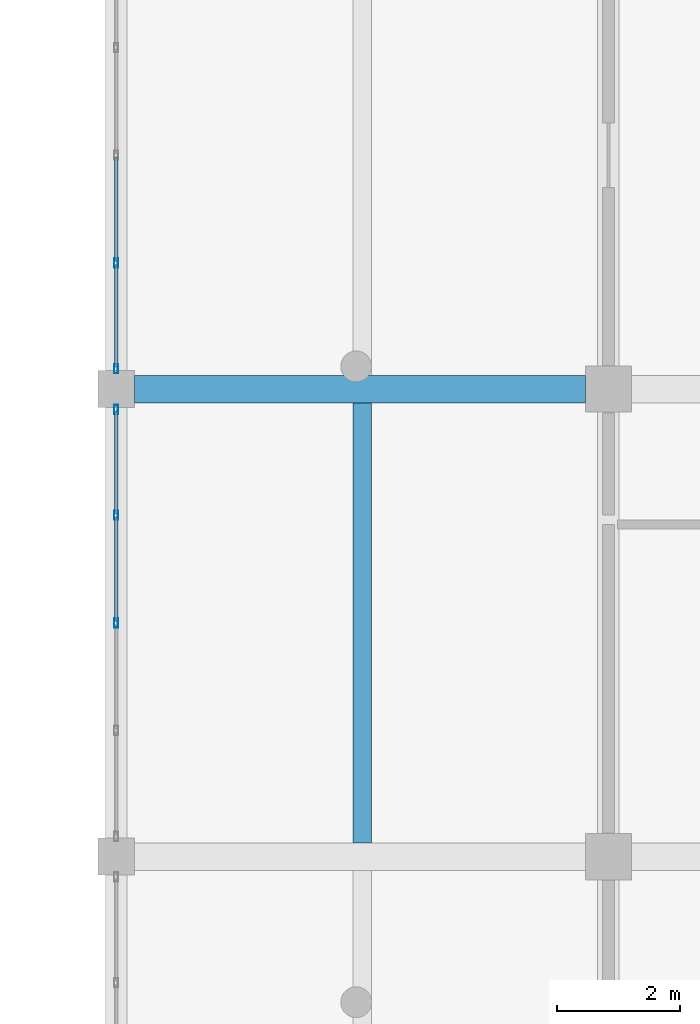
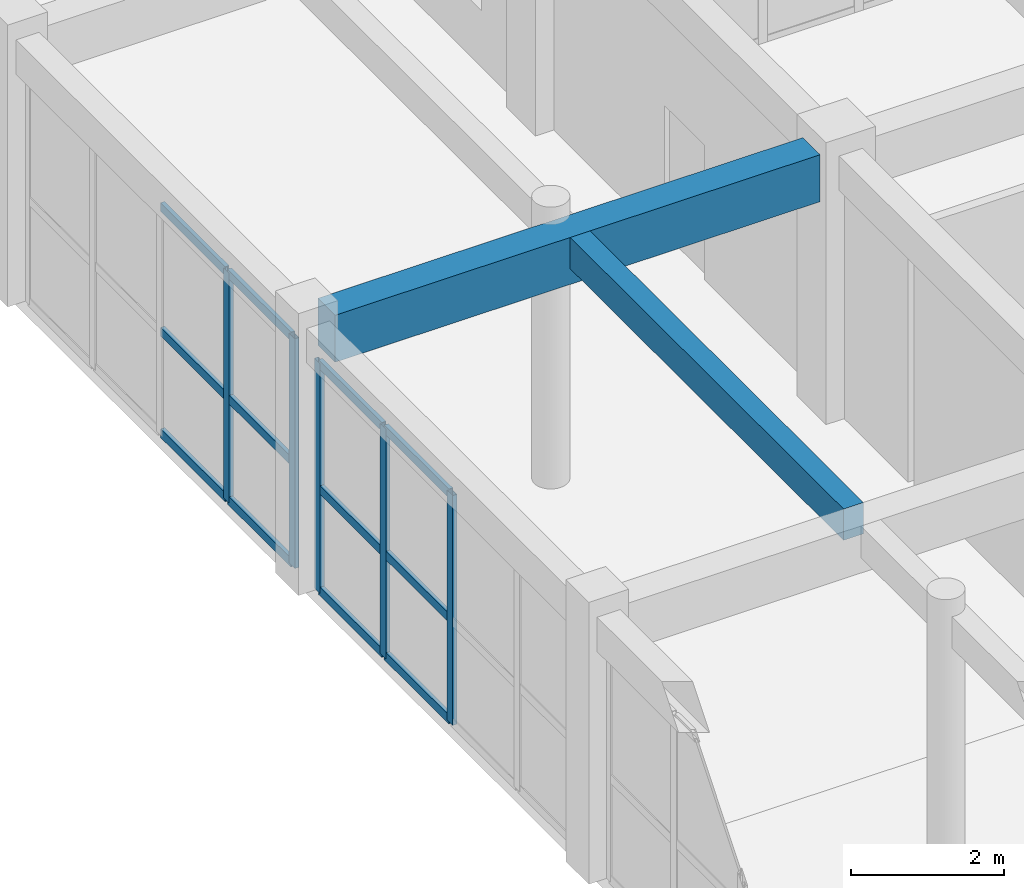
# One storey, part 17 of 79: 17 members, 2 beams, 2 elements without a shape of their own.
"""IFC4 building model written with IfcOpenShell, lengths in metres."""

import ifcopenshell
import ifcopenshell.guid

model = None  # the IFC model being written
_history = None  # IfcOwnerHistory: only IFC2X3 demands one
_inside = {}  # id of a spatial element -> (the spatial element, [elements in it])
_under = {}  # id of a project, library or spatial element -> (it, [spatial elements below it])
_declared = {}  # id of a project -> (the project, [libraries it declares])
_typed = {}  # id of a type object -> (the type object, [elements of that type])
_made_of = {}  # id of a material, layer set ... -> (it, [elements and type objects made of it])


def new_model(schema):
    """Start an empty IFC model of exactly this schema.

    Asked for "IFC4X3", IfcOpenShell would pick the latest addendum, in which some entities
    have other attributes; the version numbers below select the first issue.
    IFC2X3 requires an IfcOwnerHistory on every rooted entity: one is made here for all.
    """
    global model, _history
    if schema == "IFC4X3":
        model = ifcopenshell.file(schema_version=(4, 3, 0, 0))
    else:
        model = ifcopenshell.file(schema=schema)
    _inside.clear()
    _under.clear()
    _declared.clear()
    _typed.clear()
    _made_of.clear()
    _history = None
    if model.schema == "IFC2X3":
        org = make("IfcOrganization", Name="unknown")
        user = make(
            "IfcPersonAndOrganization",
            ThePerson=make("IfcPerson", FamilyName="unknown"),
            TheOrganization=org,
        )
        app = make(
            "IfcApplication",
            ApplicationDeveloper=org,
            Version="unknown",
            ApplicationFullName="unknown",
            ApplicationIdentifier="unknown",
        )
        _history = make(
            "IfcOwnerHistory",
            OwningUser=user,
            OwningApplication=app,
            ChangeAction="ADDED",
            CreationDate=0,
        )
    return model


def make(cls, **values):
    """One entity of the class cls with the attributes given. An attribute that is None is left unset."""
    return model.create_entity(
        cls, **{name: value for name, value in values.items() if value is not None}
    )


def rooted(cls, **values):
    """An entity with a GlobalId (a new one), such as an element, a storey or a relation."""
    return make(cls, GlobalId=ifcopenshell.guid.new(), OwnerHistory=_history, **values)


def si_unit(unit_type, name, prefix=None):
    """IfcSIUnit, for example si_unit("LENGTHUNIT", "METRE", prefix="MILLI")."""
    return make("IfcSIUnit", UnitType=unit_type, Prefix=prefix, Name=name)


def assignment(units):
    """IfcUnitAssignment: the units of a project."""
    return None if units is None else make("IfcUnitAssignment", Units=units)


def point(xyz):
    """IfcCartesianPoint."""
    return None if xyz is None else make("IfcCartesianPoint", Coordinates=xyz)


def direction(xyz):
    """IfcDirection."""
    return None if xyz is None else make("IfcDirection", DirectionRatios=xyz)


def frame(location, z_axis=None, x_axis=None):
    """IfcAxis2Placement3D, a coordinate frame: its origin and axes. An axis left out is left unset."""
    return make(
        "IfcAxis2Placement3D",
        Location=point(location),
        Axis=direction(z_axis),
        RefDirection=direction(x_axis),
    )


def frame_2d(location, x_axis=None):
    """IfcAxis2Placement2D, a coordinate frame in the plane: its origin and x axis."""
    return make(
        "IfcAxis2Placement2D", Location=point(location), RefDirection=direction(x_axis)
    )


def origin():
    """The frame at (0, 0, 0) with its axes left unset."""
    return frame((0.0, 0.0, 0.0))


def origin_2d():
    """The frame at (0, 0) in the plane with its x axis left unset."""
    return frame_2d((0.0, 0.0))


def place(relative_to, where):
    """IfcLocalPlacement: puts the frame where relative to a parent placement (None: the world)."""
    return make(
        "IfcLocalPlacement", PlacementRelTo=relative_to, RelativePlacement=where
    )


def context(
    kind, dimensions, precision=None, world=None, true_north=None, identifier=None
):
    """IfcGeometricRepresentationContext, for example the 3D "Model" context."""
    return make(
        "IfcGeometricRepresentationContext",
        ContextIdentifier=identifier,
        ContextType=kind,
        CoordinateSpaceDimension=dimensions,
        Precision=precision,
        WorldCoordinateSystem=world,
        TrueNorth=true_north,
    )


def subcontext(parent, identifier, kind, view, scale=None):
    """IfcGeometricRepresentationSubContext, for example "Body" below "Model"."""
    return make(
        "IfcGeometricRepresentationSubContext",
        ContextIdentifier=identifier,
        ContextType=kind,
        ParentContext=parent,
        TargetScale=scale,
        TargetView=view,
    )


def project(units=None, contexts=None):
    """IfcProject with its units and contexts."""
    return rooted(
        "IfcProject",
        Name="project",
        RepresentationContexts=contexts,
        UnitsInContext=assignment(units),
    )


def spatial(cls, under=None, at=None, **own):
    """A site, building, storey or space (cls), placed at a placement, below another one or the project."""
    s = rooted(cls, ObjectPlacement=at, **own)
    if under is not None:
        _under.setdefault(under.id(), (under, []))[1].append(s)
    return s


def profile(cls, at=None, kind="AREA", **sizes):
    """A parametric profile (cls). Its sizes go by their IFC names, for example OverallWidth=200.0."""
    return make(cls, ProfileType=kind, Position=at, **sizes)


def rectangle(**sizes):
    """IfcRectangleProfileDef."""
    return profile("IfcRectangleProfileDef", **sizes)


def hollow_rectangle(**sizes):
    """IfcRectangleHollowProfileDef."""
    return profile("IfcRectangleHollowProfileDef", **sizes)


def extrude(swept, where, along, depth):
    """IfcExtrudedAreaSolid: the profile swept, set in the frame where, extruded along a direction by depth."""
    return make(
        "IfcExtrudedAreaSolid",
        SweptArea=swept,
        Position=where,
        ExtrudedDirection=direction(along),
        Depth=depth,
    )


def shape(context_of_items, identifier, shape_type, items):
    """IfcShapeRepresentation: the items that make up one representation, for example the "Body"."""
    return make(
        "IfcShapeRepresentation",
        ContextOfItems=context_of_items,
        RepresentationIdentifier=identifier,
        RepresentationType=shape_type,
        Items=items,
    )


def material(Name=None, Category=None):
    """IfcMaterial."""
    return make("IfcMaterial", Name=Name, Category=Category)


def material_profile(
    of_material, cross_section, Name=None, Category=None, Priority=None
):
    """IfcMaterialProfile: a cross section and its material."""
    return make(
        "IfcMaterialProfile",
        Name=Name,
        Material=of_material,
        Profile=cross_section,
        Priority=Priority,
        Category=Category,
    )


def profile_set(profiles, Name=None, composite=None):
    """IfcMaterialProfileSet."""
    return make(
        "IfcMaterialProfileSet",
        Name=Name,
        MaterialProfiles=profiles,
        CompositeProfile=composite,
    )


def made_of(thing, what):
    """Note that an element or type object is made of a material, layer set ...; save() writes the relation."""
    if what is not None:
        _made_of.setdefault(what.id(), (what, []))[1].append(thing)
    return thing


def type_object(cls, material=None, **own):
    """A type object (cls), such as IfcWallType, which elements share."""
    return made_of(rooted(cls, **own), material)


def element(
    cls,
    number,
    at=None,
    inside=None,
    cuts=None,
    type_object=None,
    material=None,
    context=None,
    identifier="Body",
    shape_type=None,
    held_by="IfcProductDefinitionShape",
    body=None,
    shapes=None,
    **own,
):
    """One element of the class cls, such as IfcWall. Its Tag is "e" and its number.

    at: its placement. inside: the storey or other place that contains it. cuts: it is an
    opening in that element (IfcRelVoidsElement). A single representation is given by context,
    identifier, shape_type and body (its items); several are given by shapes. held_by: the class
    of the entity that holds the representations. save() writes the other relations.
    """
    e = rooted(cls, Tag="e%d" % number, ObjectPlacement=at, **own)
    if body is not None:
        shapes = [shape(context, identifier, shape_type, body)]
    if shapes is not None:
        e.Representation = make(held_by, Representations=shapes)
    if inside is not None:
        _inside.setdefault(inside.id(), (inside, []))[1].append(e)
    if cuts is not None:
        rooted(
            "IfcRelVoidsElement", RelatingBuildingElement=cuts, RelatedOpeningElement=e
        )
    if type_object is not None:
        _typed.setdefault(type_object.id(), (type_object, []))[1].append(e)
    return made_of(e, material)


def aggregate(whole, parts):
    """IfcRelAggregates: a whole, such as a stair, and the parts it consists of."""
    return rooted("IfcRelAggregates", RelatingObject=whole, RelatedObjects=parts)


def save(model, path):
    """Write the relations noted so far, then the file.

    IfcRelAggregates (storeys below a building ...), IfcRelContainedInSpatialStructure (elements
    in a storey), IfcRelDefinesByType, IfcRelAssociatesMaterial and IfcRelDeclares: one each for
    every whole, place, type object, material and project.
    """
    for whole, parts in _under.values():
        aggregate(whole, parts)
    for where, things in _inside.values():
        rooted(
            "IfcRelContainedInSpatialStructure",
            RelatedElements=things,
            RelatingStructure=where,
        )
    for kind, things in _typed.values():
        rooted("IfcRelDefinesByType", RelatedObjects=things, RelatingType=kind)
    for what, things in _made_of.values():
        rooted("IfcRelAssociatesMaterial", RelatedObjects=things, RelatingMaterial=what)
    for by, libraries in _declared.values():
        rooted("IfcRelDeclares", RelatingContext=by, RelatedDefinitions=libraries)
    model.write(path)


model = new_model("IFC4")

# Units and contexts
model_context = context("Model", 3, precision=1e-05, world=origin(), true_north=direction((0.0, 1.0)))
body_context = subcontext(model_context, "Body", "Model", "MODEL_VIEW")
ifc_project = project(units=[si_unit("LENGTHUNIT", "METRE"), si_unit("AREAUNIT", "SQUARE_METRE"), si_unit("VOLUMEUNIT", "CUBIC_METRE"), si_unit("PLANEANGLEUNIT", "RADIAN"), si_unit("MASSUNIT", "GRAM", prefix="KILO")], contexts=[model_context])

# Site, building, storey
site_placement = place(None, origin())
site = spatial("IfcSite", under=ifc_project, at=site_placement, CompositionType="ELEMENT")
building_placement = place(site_placement, origin())
building = spatial("IfcBuilding", under=site, at=building_placement, Name="Zantavel Square City Hall", CompositionType="ELEMENT")
storey_placement = place(building_placement, frame((0.0, 0.0, 10.199951171875)))
storey = spatial("IfcBuildingStorey", under=building, at=storey_placement, Name="L03", CompositionType="ELEMENT", Elevation=10.199951171875)

# Curtain wall, members
ifc_material_1 = material(Name="Anodised aluminium 6063-T6", Category="aluminium")
curtain_wall_type = type_object("IfcCurtainWallType", Name="Curtain Wall CRT 7000x3670", PredefinedType="USERDEFINED", material=ifc_material_1)
curtain_wall_1_placement = place(storey_placement, origin())
curtain_wall_1 = element("IfcCurtainWall", 1, at=curtain_wall_1_placement, inside=storey, type_object=curtain_wall_type, Name="L03 Glazed Curtain Wall CW-L03-103", ObjectType="GLAZED CURTAIN WALL", PredefinedType="USERDEFINED")
ifc_material_profile_1 = material_profile(ifc_material_1, hollow_rectangle(XDim=0.06494140625, YDim=0.14990234375, WallThickness=0.00390625, at=origin_2d()), Name="ALU 65x150x4")
ifc_profile_set_1 = profile_set([ifc_material_profile_1], Name="Anodised aluminium 6063-T6")
member_type_1 = type_object("IfcMemberType", Name="CW Mullion ALU 65x150x4", PredefinedType="MULLION", material=ifc_profile_set_1)
member_1_placement = place(storey_placement, frame((48.0, 57.0, 0.0), z_axis=(0.0, 0.0, 1.0), x_axis=(-1.0, 0.0, 0.0)))
member_1 = element("IfcMember", 2, at=member_1_placement, type_object=member_type_1, Name="CW-103 mullion 3", PredefinedType="MULLION", context=body_context, shape_type="SweptSolid", body=[
    extrude(hollow_rectangle(XDim=0.06494140625, YDim=0.14990234375, WallThickness=0.00390625, at=origin_2d()), origin(), (0.0, 0.0, 1.0), 3.670166015625),
])
member_2_placement = place(storey_placement, frame((48.0, 58.75, 0.0), z_axis=(0.0, 0.0, 1.0), x_axis=(-1.0, 0.0, 0.0)))
member_2 = element("IfcMember", 3, at=member_2_placement, type_object=member_type_1, Name="CW-103 mullion 4", PredefinedType="MULLION", context=body_context, shape_type="SweptSolid", body=[
    extrude(hollow_rectangle(XDim=0.06494140625, YDim=0.14990234375, WallThickness=0.00390625, at=origin_2d()), origin(), (0.0, 0.0, 1.0), 3.670166015625),
])
member_3_placement = place(storey_placement, frame((48.0, 60.469970703125, 0.0), z_axis=(0.0, 0.0, 1.0), x_axis=(-1.0, 0.0, 0.0)))
member_3 = element("IfcMember", 4, at=member_3_placement, type_object=member_type_1, Name="CW-103 mullion 5", PredefinedType="MULLION", context=body_context, shape_type="SweptSolid", body=[
    extrude(hollow_rectangle(XDim=0.06494140625, YDim=0.14990234375, WallThickness=0.00390625, at=origin_2d()), origin(), (0.0, 0.0, 1.0), 3.670166015625),
])

curtain_wall_2_placement = place(storey_placement, origin())
curtain_wall_2 = element("IfcCurtainWall", 5, at=curtain_wall_2_placement, inside=storey, type_object=curtain_wall_type, Name="L03 Glazed Curtain Wall CW-L03-104", ObjectType="GLAZED CURTAIN WALL", PredefinedType="USERDEFINED")
member_4_placement = place(storey_placement, frame((48.0, 61.1298828125, 0.0), z_axis=(0.0, 0.0, 1.0), x_axis=(-1.0, 0.0, 0.0)))
member_4 = element("IfcMember", 6, at=member_4_placement, type_object=member_type_1, Name="CW-104 mullion 1", PredefinedType="MULLION", context=body_context, shape_type="SweptSolid", body=[
    extrude(hollow_rectangle(XDim=0.06494140625, YDim=0.14990234375, WallThickness=0.00390625, at=origin_2d()), origin(), (0.0, 0.0, 1.0), 3.670166015625),
])
member_5_placement = place(storey_placement, frame((48.0, 62.85009765625, 0.0), z_axis=(0.0, 0.0, 1.0), x_axis=(-1.0, 0.0, 0.0)))
member_5 = element("IfcMember", 7, at=member_5_placement, type_object=member_type_1, Name="CW-104 mullion 2", PredefinedType="MULLION", context=body_context, shape_type="SweptSolid", body=[
    extrude(hollow_rectangle(XDim=0.06494140625, YDim=0.14990234375, WallThickness=0.00390625, at=origin_2d()), origin(), (0.0, 0.0, 1.0), 3.670166015625),
])

# Member
ifc_material_profile_2 = material_profile(ifc_material_1, hollow_rectangle(XDim=0.06005859375, YDim=0.139892578125, WallThickness=0.00390625, at=origin_2d()), Name="ALU 60x140x4")
ifc_profile_set_2 = profile_set([ifc_material_profile_2], Name="Anodised aluminium 6063-T6")
member_type_2 = type_object("IfcMemberType", Name="CW Transom ALU 60x140x4", PredefinedType="USERDEFINED", material=ifc_profile_set_2)
member_6_placement = place(storey_placement, frame((48.0, 57.030029296875, 0.030029296875), z_axis=(0.0, 1.0, 0.0), x_axis=(-1.0, 0.0, 0.0)))
member_6 = element("IfcMember", 8, at=member_6_placement, type_object=member_type_2, Name="CW-103 transom 3.1", ObjectType="TRANSOM", PredefinedType="USERDEFINED", context=body_context, shape_type="SweptSolid", body=[
    extrude(hollow_rectangle(XDim=0.06005859375, YDim=0.139892578125, WallThickness=0.00390625, at=origin_2d()), origin(), (0.0, 0.0, 1.0), 1.68994140625),
])

member_7_placement = place(storey_placement, frame((48.0, 57.030029296875, 1.651123046875), z_axis=(0.0, 1.0, 0.0), x_axis=(-1.0, 0.0, 0.0)))
member_7 = element("IfcMember", 9, at=member_7_placement, type_object=member_type_2, Name="CW-103 transom 3.2", ObjectType="TRANSOM", PredefinedType="USERDEFINED", context=body_context, shape_type="SweptSolid", body=[
    extrude(hollow_rectangle(XDim=0.06005859375, YDim=0.139892578125, WallThickness=0.00390625, at=origin_2d()), origin(), (0.0, 0.0, 1.0), 1.68994140625),
])

member_8_placement = place(storey_placement, frame((48.0, 57.030029296875, 3.64013671875), z_axis=(0.0, 1.0, 0.0), x_axis=(-1.0, 0.0, 0.0)))
member_8 = element("IfcMember", 10, at=member_8_placement, type_object=member_type_2, Name="CW-103 transom 3.3", ObjectType="TRANSOM", PredefinedType="USERDEFINED", context=body_context, shape_type="SweptSolid", body=[
    extrude(hollow_rectangle(XDim=0.06005859375, YDim=0.139892578125, WallThickness=0.00390625, at=origin_2d()), origin(), (0.0, 0.0, 1.0), 1.68994140625),
])

member_9_placement = place(storey_placement, frame((48.0, 58.780029296875, 0.030029296875), z_axis=(0.0, 1.0, 0.0), x_axis=(-1.0, 0.0, 0.0)))
member_9 = element("IfcMember", 11, at=member_9_placement, type_object=member_type_2, Name="CW-103 transom 4.1", ObjectType="TRANSOM", PredefinedType="USERDEFINED", context=body_context, shape_type="SweptSolid", body=[
    extrude(hollow_rectangle(XDim=0.06005859375, YDim=0.139892578125, WallThickness=0.00390625, at=origin_2d()), origin(), (0.0, 0.0, 1.0), 1.659912109375),
])

member_10_placement = place(storey_placement, frame((48.0, 58.780029296875, 1.651123046875), z_axis=(0.0, 1.0, 0.0), x_axis=(-1.0, 0.0, 0.0)))
member_10 = element("IfcMember", 12, at=member_10_placement, type_object=member_type_2, Name="CW-103 transom 4.2", ObjectType="TRANSOM", PredefinedType="USERDEFINED", context=body_context, shape_type="SweptSolid", body=[
    extrude(hollow_rectangle(XDim=0.06005859375, YDim=0.139892578125, WallThickness=0.00390625, at=origin_2d()), origin(), (0.0, 0.0, 1.0), 1.659912109375),
])

member_11_placement = place(storey_placement, frame((48.0, 58.780029296875, 3.64013671875), z_axis=(0.0, 1.0, 0.0), x_axis=(-1.0, 0.0, 0.0)))
member_11 = element("IfcMember", 13, at=member_11_placement, type_object=member_type_2, Name="CW-103 transom 4.3", ObjectType="TRANSOM", PredefinedType="USERDEFINED", context=body_context, shape_type="SweptSolid", body=[
    extrude(hollow_rectangle(XDim=0.06005859375, YDim=0.139892578125, WallThickness=0.00390625, at=origin_2d()), origin(), (0.0, 0.0, 1.0), 1.659912109375),
])

aggregate(curtain_wall_1, [member_1, member_2, member_3, member_6, member_7, member_8, member_9, member_10, member_11])

member_12_placement = place(storey_placement, frame((48.0, 61.159912109375, 0.030029296875), z_axis=(0.0, 1.0, 0.0), x_axis=(-1.0, 0.0, 0.0)))
member_12 = element("IfcMember", 14, at=member_12_placement, type_object=member_type_2, Name="CW-104 transom 1.1", ObjectType="TRANSOM", PredefinedType="USERDEFINED", context=body_context, shape_type="SweptSolid", body=[
    extrude(hollow_rectangle(XDim=0.06005859375, YDim=0.139892578125, WallThickness=0.00390625, at=origin_2d()), origin(), (0.0, 0.0, 1.0), 1.66015625),
])

member_13_placement = place(storey_placement, frame((48.0, 61.159912109375, 1.651123046875), z_axis=(0.0, 1.0, 0.0), x_axis=(-1.0, 0.0, 0.0)))
member_13 = element("IfcMember", 15, at=member_13_placement, type_object=member_type_2, Name="CW-104 transom 1.2", ObjectType="TRANSOM", PredefinedType="USERDEFINED", context=body_context, shape_type="SweptSolid", body=[
    extrude(hollow_rectangle(XDim=0.06005859375, YDim=0.139892578125, WallThickness=0.00390625, at=origin_2d()), origin(), (0.0, 0.0, 1.0), 1.66015625),
])

member_14_placement = place(storey_placement, frame((48.0, 61.159912109375, 3.64013671875), z_axis=(0.0, 1.0, 0.0), x_axis=(-1.0, 0.0, 0.0)))
member_14 = element("IfcMember", 16, at=member_14_placement, type_object=member_type_2, Name="CW-104 transom 1.3", ObjectType="TRANSOM", PredefinedType="USERDEFINED", context=body_context, shape_type="SweptSolid", body=[
    extrude(hollow_rectangle(XDim=0.06005859375, YDim=0.139892578125, WallThickness=0.00390625, at=origin_2d()), origin(), (0.0, 0.0, 1.0), 1.66015625),
])

member_15_placement = place(storey_placement, frame((48.0, 62.8798828125, 0.030029296875), z_axis=(0.0, 1.0, 0.0), x_axis=(-1.0, 0.0, 0.0)))
member_15 = element("IfcMember", 17, at=member_15_placement, type_object=member_type_2, Name="CW-104 transom 2.1", ObjectType="TRANSOM", PredefinedType="USERDEFINED", context=body_context, shape_type="SweptSolid", body=[
    extrude(hollow_rectangle(XDim=0.06005859375, YDim=0.139892578125, WallThickness=0.00390625, at=origin_2d()), origin(), (0.0, 0.0, 1.0), 1.690185546875),
])

member_16_placement = place(storey_placement, frame((48.0, 62.8798828125, 1.651123046875), z_axis=(0.0, 1.0, 0.0), x_axis=(-1.0, 0.0, 0.0)))
member_16 = element("IfcMember", 18, at=member_16_placement, type_object=member_type_2, Name="CW-104 transom 2.2", ObjectType="TRANSOM", PredefinedType="USERDEFINED", context=body_context, shape_type="SweptSolid", body=[
    extrude(hollow_rectangle(XDim=0.06005859375, YDim=0.139892578125, WallThickness=0.00390625, at=origin_2d()), origin(), (0.0, 0.0, 1.0), 1.690185546875),
])

member_17_placement = place(storey_placement, frame((48.0, 62.8798828125, 3.64013671875), z_axis=(0.0, 1.0, 0.0), x_axis=(-1.0, 0.0, 0.0)))
member_17 = element("IfcMember", 19, at=member_17_placement, type_object=member_type_2, Name="CW-104 transom 2.3", ObjectType="TRANSOM", PredefinedType="USERDEFINED", context=body_context, shape_type="SweptSolid", body=[
    extrude(hollow_rectangle(XDim=0.06005859375, YDim=0.139892578125, WallThickness=0.00390625, at=origin_2d()), origin(), (0.0, 0.0, 1.0), 1.690185546875),
])

aggregate(curtain_wall_2, [member_4, member_5, member_12, member_13, member_14, member_15, member_16, member_17])

# Beams
ifc_material_2 = material(Name="Concrete C35/45", Category="concrete")
ifc_material_profile_3 = material_profile(ifc_material_2, rectangle(XDim=0.300048828125, YDim=0.5, at=origin_2d()), Name="RC 300x500")
ifc_profile_set_3 = profile_set([ifc_material_profile_3], Name="Concrete C35/45")
beam_type_1 = type_object("IfcBeamType", Name="Floor Joist RC 300x500 C35/45", PredefinedType="JOIST", material=ifc_profile_set_3)
beam_1_placement = place(storey_placement, frame((52.0, 53.425048828125, 3.969970703125), z_axis=(0.0, 1.0, 0.0), x_axis=(-1.0, 0.0, 0.0)))
element("IfcBeam", 20, at=beam_1_placement, inside=storey, type_object=beam_type_1, Name="L03 Floor Joist JST-L03-0520-0532", PredefinedType="JOIST", context=body_context, shape_type="SweptSolid", body=[
    extrude(rectangle(XDim=0.300048828125, YDim=0.5, at=origin_2d()), origin(), (0.0, 0.0, 1.0), 7.14990234375),
])
ifc_material_profile_4 = material_profile(ifc_material_2, rectangle(XDim=0.449951171875, YDim=0.75, at=origin_2d()), Name="RC 450x750")
ifc_profile_set_4 = profile_set([ifc_material_profile_4], Name="Concrete C35/45")
beam_type_2 = type_object("IfcBeamType", Name="Primary Girder RC 450x750 C35/45", PredefinedType="BEAM", material=ifc_profile_set_4)
beam_2_placement = place(storey_placement, frame((48.300048828125, 60.800048828125, 3.844970703125), z_axis=(1.0, 0.0, 0.0), x_axis=(0.0, 1.0, 0.0)))
element("IfcBeam", 21, at=beam_2_placement, inside=storey, type_object=beam_type_2, Name="L03 Girder BMX-L03-0480-0608", PredefinedType="BEAM", context=body_context, shape_type="SweptSolid", body=[
    extrude(rectangle(XDim=0.449951171875, YDim=0.75, at=origin_2d()), origin(), (0.0, 0.0, 1.0), 7.324951171875),
])

save(model, "model.ifc")
